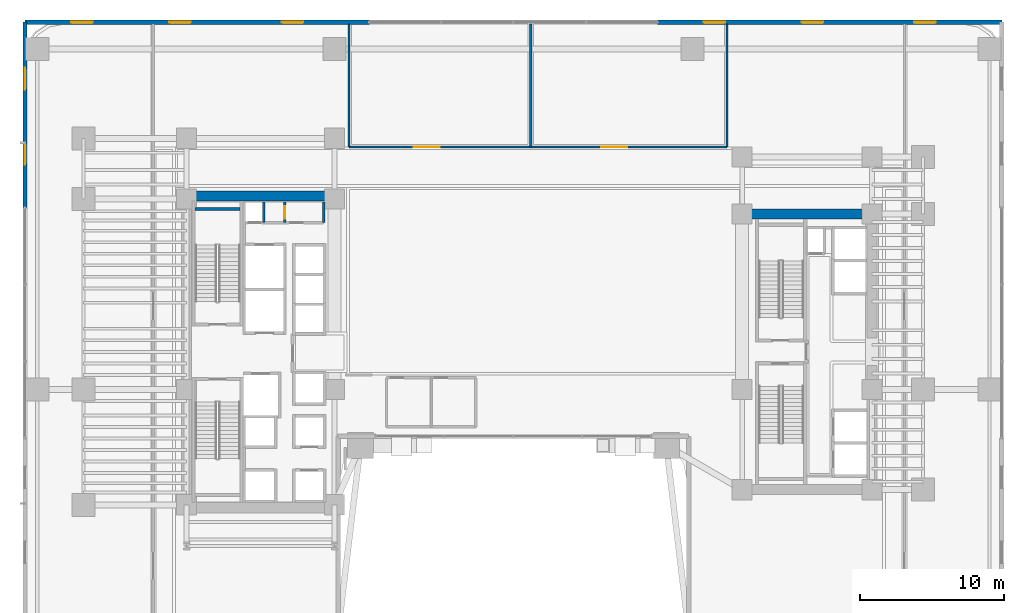
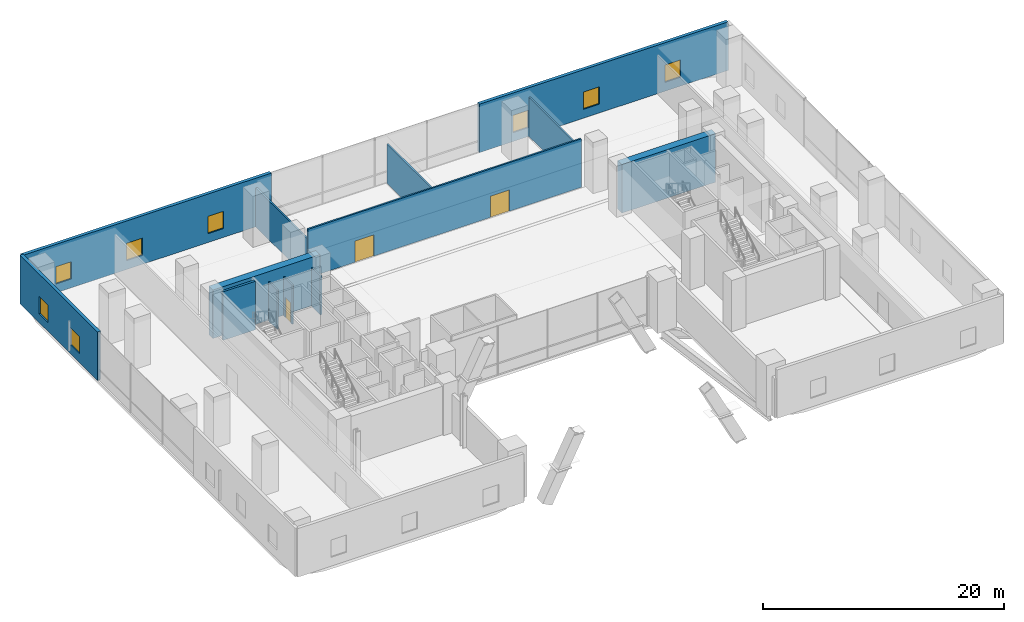
# One storey, part 29 of 39: 13 walls, 8 windows, 3 doors, 11 openings.
"""IFC4 building model written with IfcOpenShell, lengths in metres."""

from ifc_helpers import new_model, si_unit, direction, frame, frame_2d, origin, place, context, subcontext, project, spatial, rectangle, extrude, material, layer, layer_set, type_object, element, fill, save


model = new_model("IFC4")

# Units and contexts
model_context = context("Model", 3, precision=1e-05, world=origin(), true_north=direction((0.0, 1.0)))
body_context = subcontext(model_context, "Body", "Model", "MODEL_VIEW")
ifc_project = project(units=[si_unit("LENGTHUNIT", "METRE"), si_unit("AREAUNIT", "SQUARE_METRE"), si_unit("VOLUMEUNIT", "CUBIC_METRE"), si_unit("PLANEANGLEUNIT", "RADIAN"), si_unit("MASSUNIT", "GRAM", prefix="KILO")], contexts=[model_context])

# Site, building, storey
site_placement = place(None, origin())
site = spatial("IfcSite", under=ifc_project, at=site_placement, CompositionType="ELEMENT")
building_placement = place(site_placement, origin())
building = spatial("IfcBuilding", under=site, at=building_placement, Name="Valdorenza Pilgrim Sanctuary Tower", CompositionType="ELEMENT")
storey_placement = place(building_placement, frame((0.0, 0.0, 10.39990234375)))
storey = spatial("IfcBuildingStorey", under=building, at=storey_placement, Name="L02", CompositionType="ELEMENT", Elevation=10.39990234375)

# Walls
ifc_material_1 = material(Name="Acoustic twin-stud gypsum partition", Category="gypsum")
ifc_layer_1 = layer(ifc_material_1, 0.159912109375, Name="Acoustic twin-stud gypsum partition")
ifc_layer_set_1 = layer_set([ifc_layer_1], Name="Acoustic twin-stud gypsum partition")
wall_type_1 = type_object("IfcWallType", Name="WAL-COR-160", PredefinedType="PARTITIONING", material=ifc_layer_set_1)
for number, where, z_axis, x_axis, name in (
    (1, (-13.14990234375, 8.949951171875, 0.0), (0.0, 0.0, 1.0), (0.0, 1.0, 0.0), "L02 Core A North Service East Wall"),
    (2, (-17.300048828125, 8.949951171875, 0.0), (0.0, 0.0, 1.0), (0.0, 1.0, 0.0), "L02 Core Electrical Riser Wall"),
):
    element("IfcWall", number, at=place(storey_placement, frame(where, z_axis=z_axis, x_axis=x_axis)), inside=storey, type_object=wall_type_1, Name=name, PredefinedType="PARTITIONING", context=body_context, shape_type="SweptSolid", body=[
        extrude(rectangle(XDim=1.429931640625, YDim=0.159912109375, at=frame_2d((0.71484375, 0.0))), origin(), (0.0, 0.0, 1.0), 3.95703125),
    ])

# Wall, opening, door
wall_1_placement = place(storey_placement, frame((-15.85009765625, 8.949951171875, 0.0), z_axis=(0.0, 0.0, 1.0), x_axis=(0.0, 1.0, 0.0)))
wall_1 = element("IfcWall", 3, at=wall_1_placement, inside=storey, type_object=wall_type_1, Name="L02 Core A Split C", PredefinedType="PARTITIONING", context=body_context, shape_type="SweptSolid", body=[
    extrude(rectangle(XDim=1.429931640625, YDim=0.159912109375, at=frame_2d((0.71484375, 0.0))), origin(), (0.0, 0.0, 1.0), 3.95703125),
])
opening_1_placement = place(wall_1_placement, frame((0.2900390625, 0.0, 0.0)))
opening_1 = element("IfcOpeningElement", 4, at=opening_1_placement, cuts=wall_1, Name="Opening DR-RS1", PredefinedType="OPENING", context=body_context, shape_type="SweptSolid", body=[
    extrude(rectangle(XDim=0.85009765625, YDim=2.050048828125, at=frame_2d((0.425048828125, 1.02490234375))), frame((0.0, 0.0947265625, 0.0), z_axis=(0.0, -1.0, 0.0), x_axis=(1.0, 0.0, 0.0)), (0.0, 0.0, 1.0), 0.189697265625),
])
ifc_material_2 = material(Name="Painted galvanized steel", Category="steel")
door_type_1 = type_object("IfcDoorType", Name="DR-RSR-850", OperationType="NOTDEFINED", PredefinedType="DOOR", material=ifc_material_2)
door_1_placement = place(opening_1_placement, origin())
door_1 = element("IfcDoor", 5, at=door_1_placement, inside=storey, type_object=door_type_1, Name="L02 Clean Linen Supply Store Door", OperationType="SINGLE_SWING_LEFT", OverallHeight=2.050048828125, OverallWidth=0.85009765625, PredefinedType="DOOR", context=body_context, shape_type="SweptSolid", body=[
    extrude(rectangle(XDim=0.85009765625, YDim=2.050048828125, at=frame_2d((0.425048828125, 1.02490234375))), frame((0.0, 0.02490234375, 0.0), z_axis=(0.0, -1.0, 0.0), x_axis=(1.0, 0.0, 0.0)), (0.0, 0.0, 1.0), 0.050048828125),
])
fill(opening_1, door_1)

# Wall, openings, doors
wall_2_placement = place(storey_placement, frame((-11.39990234375, 14.199951171875, 0.0), z_axis=(0.0, 0.0, 1.0), x_axis=(1.0, 0.0, 0.0)))
wall_2 = element("IfcWall", 6, at=wall_2_placement, inside=storey, type_object=wall_type_1, Name="L02 L02 North Hall Wall", PredefinedType="PARTITIONING", context=body_context, shape_type="SweptSolid", body=[
    extrude(rectangle(XDim=26.199951171875, YDim=0.159912109375, at=frame_2d((13.10009765625, 0.0))), origin(), (0.0, 0.0, 1.0), 4.920166015625),
])
opening_2_placement = place(wall_2_placement, frame((4.5, 0.0, 0.0)))
opening_2 = element("IfcOpeningElement", 7, at=opening_2_placement, cuts=wall_2, Name="Opening DR-HL1", PredefinedType="OPENING", context=body_context, shape_type="SweptSolid", body=[
    extrude(rectangle(XDim=1.800048828125, YDim=2.14990234375, at=frame_2d((0.89990234375, 1.074951171875))), frame((0.0, 0.0947265625, 0.0), z_axis=(0.0, -1.0, 0.0), x_axis=(1.0, 0.0, 0.0)), (0.0, 0.0, 1.0), 0.189697265625),
])
opening_3_placement = place(wall_2_placement, frame((17.5, 0.0, 0.0)))
opening_3 = element("IfcOpeningElement", 8, at=opening_3_placement, cuts=wall_2, Name="Opening DR-HL1", PredefinedType="OPENING", context=body_context, shape_type="SweptSolid", body=[
    extrude(rectangle(XDim=1.800048828125, YDim=2.14990234375, at=frame_2d((0.89990234375, 1.074951171875))), frame((0.0, 0.0947265625, 0.0), z_axis=(0.0, -1.0, 0.0), x_axis=(1.0, 0.0, 0.0)), (0.0, 0.0, 1.0), 0.189697265625),
])
ifc_material_3 = material(Name="Acoustic oak and vision-glass double door", Category="glass")
door_type_2 = type_object("IfcDoorType", Name="DR-HALL-1800", OperationType="NOTDEFINED", PredefinedType="DOOR", material=ifc_material_3)
door_2_placement = place(opening_2_placement, origin())
door_2 = element("IfcDoor", 9, at=door_2_placement, inside=storey, type_object=door_type_2, Name="L02 Commercial Refectory Kitchen Double Door", OperationType="DOUBLE_DOOR_SINGLE_SWING", OverallHeight=2.14990234375, OverallWidth=1.800048828125, PredefinedType="DOOR", context=body_context, shape_type="SweptSolid", body=[
    extrude(rectangle(XDim=1.800048828125, YDim=2.14990234375, at=frame_2d((0.89990234375, 1.074951171875))), frame((0.0, 0.02490234375, 0.0), z_axis=(0.0, -1.0, 0.0), x_axis=(1.0, 0.0, 0.0)), (0.0, 0.0, 1.0), 0.050048828125),
])
fill(opening_2, door_2)
door_3_placement = place(opening_3_placement, frame((1.800048828125, 0.0, 0.0), z_axis=(0.0, 0.0, 1.0), x_axis=(-1.0, 0.0, 0.0)))
door_3 = element("IfcDoor", 10, at=door_3_placement, inside=storey, type_object=door_type_2, Name="L02 Sanctuary Tea Lounge Double Door", OperationType="DOUBLE_DOOR_SINGLE_SWING", OverallHeight=2.14990234375, OverallWidth=1.800048828125, PredefinedType="DOOR", context=body_context, shape_type="SweptSolid", body=[
    extrude(rectangle(XDim=1.800048828125, YDim=2.14990234375, at=frame_2d((0.89990234375, 1.074951171875))), frame((0.0, 0.02490234375, 0.0), z_axis=(0.0, -1.0, 0.0), x_axis=(1.0, 0.0, 0.0)), (0.0, 0.0, 1.0), 0.050048828125),
])
fill(opening_3, door_3)

# Walls
for number, where, z_axis, x_axis, name in (
    (11, (-11.39990234375, 14.199951171875, 0.0), (0.0, 0.0, 1.0), (0.0, 1.0, 0.0), "L02 L02 North Hall West Wall"),
    (12, (14.800048828125, 14.199951171875, 0.0), (0.0, 0.0, 1.0), (0.0, 1.0, 0.0), "L02 L02 North Hall East Wall"),
):
    element("IfcWall", number, at=place(storey_placement, frame(where, z_axis=z_axis, x_axis=x_axis)), inside=storey, type_object=wall_type_1, Name=name, PredefinedType="PARTITIONING", context=body_context, shape_type="SweptSolid", body=[
        extrude(rectangle(XDim=8.5400390625, YDim=0.159912109375, at=frame_2d((4.27001953125, 0.0))), origin(), (0.0, 0.0, 1.0), 3.95703125),
    ])
ifc_material_4 = material(Name="Concrete C60/75", Category="concrete")
ifc_layer_2 = layer(ifc_material_4, 0.699951171875, Name="Concrete C60/75")
ifc_layer_set_2 = layer_set([ifc_layer_2], Name="Concrete C60/75")
wall_type_2 = type_object("IfcWallType", Name="WAL-COR-700", PredefinedType="SHEAR", material=ifc_layer_set_2)
wall_3_placement = place(storey_placement, frame((-22.64990234375, 10.800048828125, 0.0), z_axis=(0.0, 0.0, 1.0), x_axis=(1.0, 0.0, 0.0)))
element("IfcWall", 13, at=wall_3_placement, inside=storey, type_object=wall_type_2, Name="L02 Split Core A Shear Wall N", PredefinedType="SHEAR", context=body_context, shape_type="SweptSolid", body=[
    extrude(rectangle(XDim=10.25, YDim=0.699951171875, at=frame_2d((5.125, 0.0))), origin(), (0.0, 0.0, 1.0), 4.920166015625),
])
wall_4_placement = place(storey_placement, frame((15.85009765625, 9.550048828125, 0.0), z_axis=(0.0, 0.0, 1.0), x_axis=(1.0, 0.0, 0.0)))
element("IfcWall", 14, at=wall_4_placement, inside=storey, type_object=wall_type_2, Name="L02 Split Core B Shear Wall N", PredefinedType="SHEAR", context=body_context, shape_type="SweptSolid", body=[
    extrude(rectangle(XDim=9.0, YDim=0.699951171875, at=frame_2d((4.5, 0.0))), origin(), (0.0, 0.0, 1.0), 4.920166015625),
])

# Wall, openings, windows
ifc_material_5 = material(Name="Honed travertine limestone", Category="masonry")
ifc_layer_3 = layer(ifc_material_5, 0.300048828125, Name="Honed travertine limestone")
ifc_layer_set_3 = layer_set([ifc_layer_3], Name="Honed travertine limestone")
wall_type_3 = type_object("IfcWallType", Name="WAL-EXT-300", PredefinedType="SOLIDWALL", material=ifc_layer_set_3)
wall_5_placement = place(storey_placement, frame((-33.85009765625, 9.97998046875, 0.0), z_axis=(0.0, 0.0, 1.0), x_axis=(0.0, 1.0, 0.0)))
wall_5 = element("IfcWall", 15, at=wall_5_placement, inside=storey, type_object=wall_type_3, Name="L02 Podium Honed Travertine Stone Wall W-N", PredefinedType="SOLIDWALL", context=body_context, shape_type="SweptSolid", body=[
    extrude(rectangle(XDim=12.8701171875, YDim=0.300048828125, at=frame_2d((6.43505859375, 0.0))), origin(), (0.0, 0.0, 1.0), 4.920166015625),
])
opening_4_placement = place(wall_5_placement, frame((3.0, 0.0, 0.89990234375)))
opening_4 = element("IfcOpeningElement", 16, at=opening_4_placement, cuts=wall_5, Name="Opening WN-VS1", PredefinedType="OPENING", context=body_context, shape_type="SweptSolid", body=[
    extrude(rectangle(XDim=1.5, YDim=1.75, at=frame_2d((0.75, 0.875))), frame((0.0, 0.1650390625, 0.0), z_axis=(0.0, -1.0, 0.0), x_axis=(1.0, 0.0, 0.0)), (0.0, 0.0, 1.0), 0.329833984375),
])
opening_5_placement = place(wall_5_placement, frame((8.199951171875, 0.0, 0.89990234375)))
opening_5 = element("IfcOpeningElement", 17, at=opening_5_placement, cuts=wall_5, Name="Opening WN-VS1", PredefinedType="OPENING", context=body_context, shape_type="SweptSolid", body=[
    extrude(rectangle(XDim=1.5, YDim=1.75, at=frame_2d((0.75, 0.875))), frame((0.0, 0.1650390625, 0.0), z_axis=(0.0, -1.0, 0.0), x_axis=(1.0, 0.0, 0.0)), (0.0, 0.0, 1.0), 0.329833984375),
])
ifc_material_6 = material(Name="Ceramic-fritted low-E IGU glazing", Category="glass")
window_type = type_object("IfcWindowType", Name="WIN-VIS-1500", PartitioningType="SINGLE_PANEL", PredefinedType="WINDOW", material=ifc_material_6)
window_1_placement = place(opening_4_placement, origin())
window_1 = element("IfcWindow", 18, at=window_1_placement, inside=storey, type_object=window_type, Name="L02 Podium Stone Vision Window W-N-1", OverallHeight=1.75, OverallWidth=1.5, PartitioningType="SINGLE_PANEL", PredefinedType="WINDOW", context=body_context, shape_type="SweptSolid", body=[
    extrude(rectangle(XDim=1.5, YDim=1.75, at=frame_2d((0.75, 0.875))), frame((0.0, 0.030029296875, 0.0), z_axis=(0.0, -1.0, 0.0), x_axis=(1.0, 0.0, 0.0)), (0.0, 0.0, 1.0), 0.06005859375),
])
fill(opening_4, window_1)
window_2_placement = place(opening_5_placement, origin())
window_2 = element("IfcWindow", 19, at=window_2_placement, inside=storey, type_object=window_type, Name="L02 Podium Stone Vision Window W-N-2", OverallHeight=1.75, OverallWidth=1.5, PartitioningType="SINGLE_PANEL", PredefinedType="WINDOW", context=body_context, shape_type="SweptSolid", body=[
    extrude(rectangle(XDim=1.5, YDim=1.75, at=frame_2d((0.75, 0.875))), frame((0.0, 0.030029296875, 0.0), z_axis=(0.0, -1.0, 0.0), x_axis=(1.0, 0.0, 0.0)), (0.0, 0.0, 1.0), 0.06005859375),
])
fill(opening_5, window_2)

wall_6_placement = place(storey_placement, frame((-33.85009765625, 22.85009765625, 0.0), z_axis=(0.0, 0.0, 1.0), x_axis=(1.0, 0.0, 0.0)))
wall_6 = element("IfcWall", 20, at=wall_6_placement, inside=storey, type_object=wall_type_3, Name="L02 Podium Honed Travertine Stone Wall N-W", PredefinedType="SOLIDWALL", context=body_context, shape_type="SweptSolid", body=[
    extrude(rectangle(XDim=23.8701171875, YDim=0.300048828125, at=frame_2d((11.93505859375, 0.0))), origin(), (0.0, 0.0, 1.0), 4.920166015625),
])
opening_6_placement = place(wall_6_placement, frame((3.199951171875, 0.0, 0.89990234375)))
opening_6 = element("IfcOpeningElement", 21, at=opening_6_placement, cuts=wall_6, Name="Opening WN-VS1", PredefinedType="OPENING", context=body_context, shape_type="SweptSolid", body=[
    extrude(rectangle(XDim=1.5, YDim=1.75, at=frame_2d((0.75, 0.875))), frame((0.0, 0.1650390625, 0.0), z_axis=(0.0, -1.0, 0.0), x_axis=(1.0, 0.0, 0.0)), (0.0, 0.0, 1.0), 0.329833984375),
])
opening_7_placement = place(wall_6_placement, frame((10.0, 0.0, 0.89990234375)))
opening_7 = element("IfcOpeningElement", 22, at=opening_7_placement, cuts=wall_6, Name="Opening WN-VS1", PredefinedType="OPENING", context=body_context, shape_type="SweptSolid", body=[
    extrude(rectangle(XDim=1.5, YDim=1.75, at=frame_2d((0.75, 0.875))), frame((0.0, 0.1650390625, 0.0), z_axis=(0.0, -1.0, 0.0), x_axis=(1.0, 0.0, 0.0)), (0.0, 0.0, 1.0), 0.329833984375),
])
opening_8_placement = place(wall_6_placement, frame((17.800048828125, 0.0, 0.89990234375)))
opening_8 = element("IfcOpeningElement", 23, at=opening_8_placement, cuts=wall_6, Name="Opening WN-VS1", PredefinedType="OPENING", context=body_context, shape_type="SweptSolid", body=[
    extrude(rectangle(XDim=1.5, YDim=1.75, at=frame_2d((0.75, 0.875))), frame((0.0, 0.1650390625, 0.0), z_axis=(0.0, -1.0, 0.0), x_axis=(1.0, 0.0, 0.0)), (0.0, 0.0, 1.0), 0.329833984375),
])
window_3_placement = place(opening_6_placement, origin())
window_3 = element("IfcWindow", 24, at=window_3_placement, inside=storey, type_object=window_type, Name="L02 Podium Stone Vision Window N-W-1", OverallHeight=1.75, OverallWidth=1.5, PartitioningType="SINGLE_PANEL", PredefinedType="WINDOW", context=body_context, shape_type="SweptSolid", body=[
    extrude(rectangle(XDim=1.5, YDim=1.75, at=frame_2d((0.75, 0.875))), frame((0.0, 0.030029296875, 0.0), z_axis=(0.0, -1.0, 0.0), x_axis=(1.0, 0.0, 0.0)), (0.0, 0.0, 1.0), 0.06005859375),
])
fill(opening_6, window_3)
window_4_placement = place(opening_7_placement, origin())
window_4 = element("IfcWindow", 25, at=window_4_placement, inside=storey, type_object=window_type, Name="L02 Podium Stone Vision Window N-W-2", OverallHeight=1.75, OverallWidth=1.5, PartitioningType="SINGLE_PANEL", PredefinedType="WINDOW", context=body_context, shape_type="SweptSolid", body=[
    extrude(rectangle(XDim=1.5, YDim=1.75, at=frame_2d((0.75, 0.875))), frame((0.0, 0.030029296875, 0.0), z_axis=(0.0, -1.0, 0.0), x_axis=(1.0, 0.0, 0.0)), (0.0, 0.0, 1.0), 0.06005859375),
])
fill(opening_7, window_4)
window_5_placement = place(opening_8_placement, origin())
window_5 = element("IfcWindow", 26, at=window_5_placement, inside=storey, type_object=window_type, Name="L02 Podium Stone Vision Window N-W-3", OverallHeight=1.75, OverallWidth=1.5, PartitioningType="SINGLE_PANEL", PredefinedType="WINDOW", context=body_context, shape_type="SweptSolid", body=[
    extrude(rectangle(XDim=1.5, YDim=1.75, at=frame_2d((0.75, 0.875))), frame((0.0, 0.030029296875, 0.0), z_axis=(0.0, -1.0, 0.0), x_axis=(1.0, 0.0, 0.0)), (0.0, 0.0, 1.0), 0.06005859375),
])
fill(opening_8, window_5)

wall_7_placement = place(storey_placement, frame((9.97998046875, 22.85009765625, 0.0), z_axis=(0.0, 0.0, 1.0), x_axis=(1.0, 0.0, 0.0)))
wall_7 = element("IfcWall", 27, at=wall_7_placement, inside=storey, type_object=wall_type_3, Name="L02 Podium Honed Travertine Stone Wall N-E", PredefinedType="SOLIDWALL", context=body_context, shape_type="SweptSolid", body=[
    extrude(rectangle(XDim=23.8701171875, YDim=0.300048828125, at=frame_2d((11.93505859375, 0.0))), origin(), (0.0, 0.0, 1.0), 4.920166015625),
])
opening_9_placement = place(wall_7_placement, frame((3.199951171875, 0.0, 0.89990234375)))
opening_9 = element("IfcOpeningElement", 28, at=opening_9_placement, cuts=wall_7, Name="Opening WN-VS1", PredefinedType="OPENING", context=body_context, shape_type="SweptSolid", body=[
    extrude(rectangle(XDim=1.5, YDim=1.75, at=frame_2d((0.75, 0.875))), frame((0.0, 0.1650390625, 0.0), z_axis=(0.0, -1.0, 0.0), x_axis=(1.0, 0.0, 0.0)), (0.0, 0.0, 1.0), 0.329833984375),
])
opening_10_placement = place(wall_7_placement, frame((10.0, 0.0, 0.89990234375)))
opening_10 = element("IfcOpeningElement", 29, at=opening_10_placement, cuts=wall_7, Name="Opening WN-VS1", PredefinedType="OPENING", context=body_context, shape_type="SweptSolid", body=[
    extrude(rectangle(XDim=1.5, YDim=1.75, at=frame_2d((0.75, 0.875))), frame((0.0, 0.1650390625, 0.0), z_axis=(0.0, -1.0, 0.0), x_axis=(1.0, 0.0, 0.0)), (0.0, 0.0, 1.0), 0.329833984375),
])
opening_11_placement = place(wall_7_placement, frame((17.800048828125, 0.0, 0.89990234375)))
opening_11 = element("IfcOpeningElement", 30, at=opening_11_placement, cuts=wall_7, Name="Opening WN-VS1", PredefinedType="OPENING", context=body_context, shape_type="SweptSolid", body=[
    extrude(rectangle(XDim=1.5, YDim=1.75, at=frame_2d((0.75, 0.875))), frame((0.0, 0.1650390625, 0.0), z_axis=(0.0, -1.0, 0.0), x_axis=(1.0, 0.0, 0.0)), (0.0, 0.0, 1.0), 0.329833984375),
])
window_6_placement = place(opening_9_placement, origin())
window_6 = element("IfcWindow", 31, at=window_6_placement, inside=storey, type_object=window_type, Name="L02 Podium Stone Vision Window N-E-1", OverallHeight=1.75, OverallWidth=1.5, PartitioningType="SINGLE_PANEL", PredefinedType="WINDOW", context=body_context, shape_type="SweptSolid", body=[
    extrude(rectangle(XDim=1.5, YDim=1.75, at=frame_2d((0.75, 0.875))), frame((0.0, 0.030029296875, 0.0), z_axis=(0.0, -1.0, 0.0), x_axis=(1.0, 0.0, 0.0)), (0.0, 0.0, 1.0), 0.06005859375),
])
fill(opening_9, window_6)
window_7_placement = place(opening_10_placement, origin())
window_7 = element("IfcWindow", 32, at=window_7_placement, inside=storey, type_object=window_type, Name="L02 Podium Stone Vision Window N-E-2", OverallHeight=1.75, OverallWidth=1.5, PartitioningType="SINGLE_PANEL", PredefinedType="WINDOW", context=body_context, shape_type="SweptSolid", body=[
    extrude(rectangle(XDim=1.5, YDim=1.75, at=frame_2d((0.75, 0.875))), frame((0.0, 0.030029296875, 0.0), z_axis=(0.0, -1.0, 0.0), x_axis=(1.0, 0.0, 0.0)), (0.0, 0.0, 1.0), 0.06005859375),
])
fill(opening_10, window_7)
window_8_placement = place(opening_11_placement, origin())
window_8 = element("IfcWindow", 33, at=window_8_placement, inside=storey, type_object=window_type, Name="L02 Podium Stone Vision Window N-E-3", OverallHeight=1.75, OverallWidth=1.5, PartitioningType="SINGLE_PANEL", PredefinedType="WINDOW", context=body_context, shape_type="SweptSolid", body=[
    extrude(rectangle(XDim=1.5, YDim=1.75, at=frame_2d((0.75, 0.875))), frame((0.0, 0.030029296875, 0.0), z_axis=(0.0, -1.0, 0.0), x_axis=(1.0, 0.0, 0.0)), (0.0, 0.0, 1.0), 0.06005859375),
])
fill(opening_11, window_8)

# Walls
ifc_material_7 = material(Name="Concrete C40/50", Category="concrete")
ifc_layer_4 = layer(ifc_material_7, 0.219970703125, Name="Concrete C40/50")
ifc_layer_set_4 = layer_set([ifc_layer_4], Name="Concrete C40/50")
wall_type_4 = type_object("IfcWallType", Name="WAL-STR-SHF-220", PredefinedType="SHEAR", material=ifc_layer_set_4)
wall_8_placement = place(storey_placement, frame((-22.050048828125, 9.909912109375, 0.0), z_axis=(0.0, 0.0, 1.0), x_axis=(1.0, 0.0, 0.0)))
element("IfcWall", 34, at=wall_8_placement, inside=storey, type_object=wall_type_4, Name="L02 ST-A1 Structural Stairwell Wall N", PredefinedType="SHEAR", context=body_context, shape_type="SweptSolid", body=[
    extrude(rectangle(XDim=3.110107421875, YDim=0.219970703125, at=frame_2d((1.55517578125, 0.0))), origin(), (0.0, 0.0, 1.0), 4.920166015625),
])
ifc_layer_5 = layer(ifc_material_1, 0.14990234375, Name="Acoustic twin-stud gypsum partition")
ifc_layer_set_5 = layer_set([ifc_layer_5], Name="Acoustic twin-stud gypsum partition")
wall_type_5 = type_object("IfcWallType", Name="WAL-UNT-150", PredefinedType="PARTITIONING", material=ifc_layer_set_5)
wall_9_placement = place(storey_placement, frame((1.199951171875, 14.199951171875, 0.0), z_axis=(0.0, 0.0, 1.0), x_axis=(0.0, 1.0, 0.0)))
element("IfcWall", 35, at=wall_9_placement, inside=storey, type_object=wall_type_5, Name="L02 L02 North Mid Wall", PredefinedType="PARTITIONING", context=body_context, shape_type="SweptSolid", body=[
    extrude(rectangle(XDim=8.5400390625, YDim=0.14990234375, at=frame_2d((4.27001953125, 0.0))), origin(), (0.0, 0.0, 1.0), 3.95703125),
])

save(model, "model.ifc")
